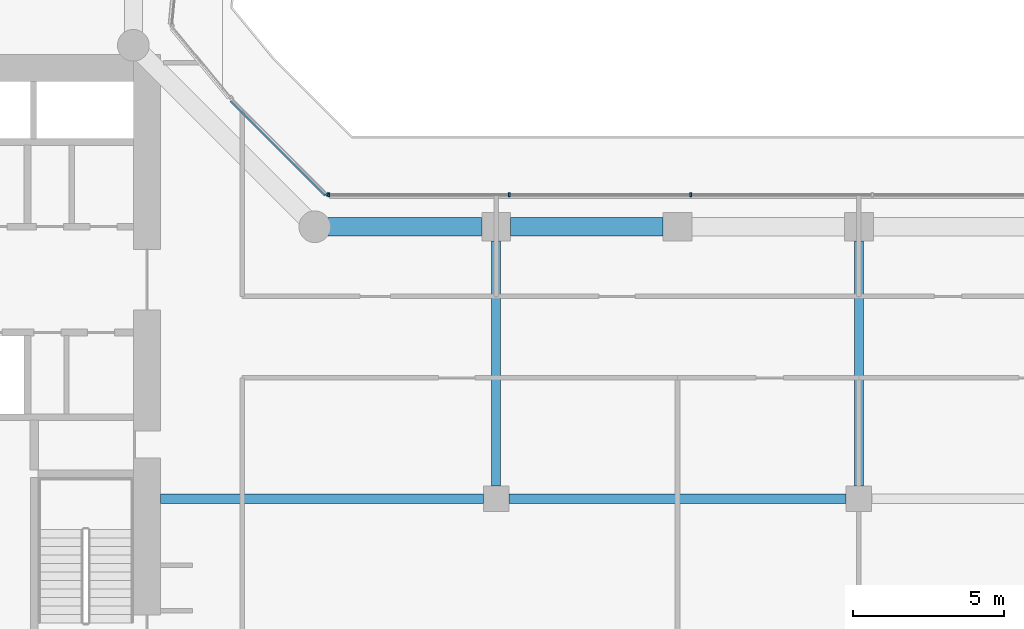
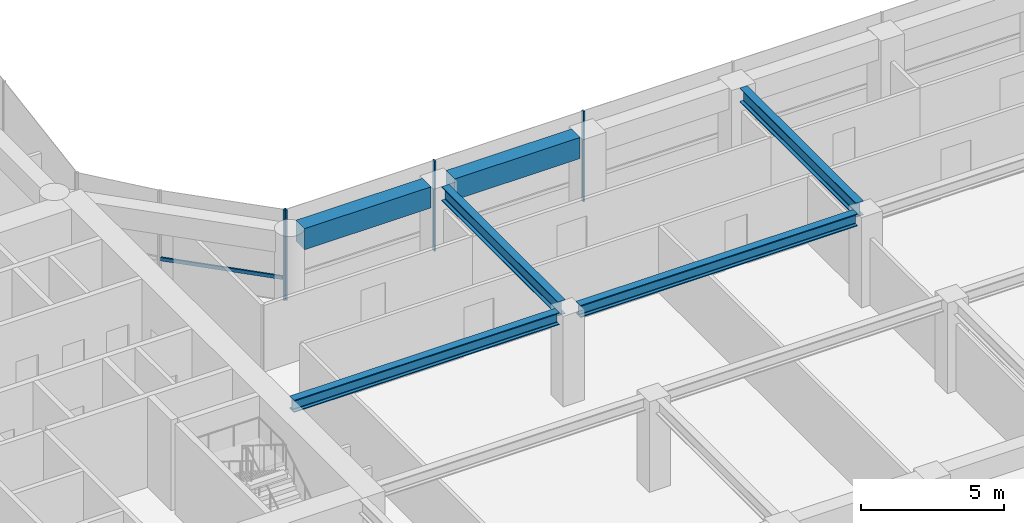
# One storey, part 9 of 31: 6 beams, 5 members, 2 elements without a shape of their own.
"""IFC4 building model written with IfcOpenShell, lengths in metres."""

import ifcopenshell
import ifcopenshell.guid

model = None  # the IFC model being written
_history = None  # IfcOwnerHistory: only IFC2X3 demands one
_inside = {}  # id of a spatial element -> (the spatial element, [elements in it])
_under = {}  # id of a project, library or spatial element -> (it, [spatial elements below it])
_declared = {}  # id of a project -> (the project, [libraries it declares])
_typed = {}  # id of a type object -> (the type object, [elements of that type])
_made_of = {}  # id of a material, layer set ... -> (it, [elements and type objects made of it])


def new_model(schema):
    """Start an empty IFC model of exactly this schema.

    Asked for "IFC4X3", IfcOpenShell would pick the latest addendum, in which some entities
    have other attributes; the version numbers below select the first issue.
    IFC2X3 requires an IfcOwnerHistory on every rooted entity: one is made here for all.
    """
    global model, _history
    if schema == "IFC4X3":
        model = ifcopenshell.file(schema_version=(4, 3, 0, 0))
    else:
        model = ifcopenshell.file(schema=schema)
    _inside.clear()
    _under.clear()
    _declared.clear()
    _typed.clear()
    _made_of.clear()
    _history = None
    if model.schema == "IFC2X3":
        org = make("IfcOrganization", Name="unknown")
        user = make(
            "IfcPersonAndOrganization",
            ThePerson=make("IfcPerson", FamilyName="unknown"),
            TheOrganization=org,
        )
        app = make(
            "IfcApplication",
            ApplicationDeveloper=org,
            Version="unknown",
            ApplicationFullName="unknown",
            ApplicationIdentifier="unknown",
        )
        _history = make(
            "IfcOwnerHistory",
            OwningUser=user,
            OwningApplication=app,
            ChangeAction="ADDED",
            CreationDate=0,
        )
    return model


def make(cls, **values):
    """One entity of the class cls with the attributes given. An attribute that is None is left unset."""
    return model.create_entity(
        cls, **{name: value for name, value in values.items() if value is not None}
    )


def rooted(cls, **values):
    """An entity with a GlobalId (a new one), such as an element, a storey or a relation."""
    return make(cls, GlobalId=ifcopenshell.guid.new(), OwnerHistory=_history, **values)


def si_unit(unit_type, name, prefix=None):
    """IfcSIUnit, for example si_unit("LENGTHUNIT", "METRE", prefix="MILLI")."""
    return make("IfcSIUnit", UnitType=unit_type, Prefix=prefix, Name=name)


def assignment(units):
    """IfcUnitAssignment: the units of a project."""
    return None if units is None else make("IfcUnitAssignment", Units=units)


def point(xyz):
    """IfcCartesianPoint."""
    return None if xyz is None else make("IfcCartesianPoint", Coordinates=xyz)


def direction(xyz):
    """IfcDirection."""
    return None if xyz is None else make("IfcDirection", DirectionRatios=xyz)


def frame(location, z_axis=None, x_axis=None):
    """IfcAxis2Placement3D, a coordinate frame: its origin and axes. An axis left out is left unset."""
    return make(
        "IfcAxis2Placement3D",
        Location=point(location),
        Axis=direction(z_axis),
        RefDirection=direction(x_axis),
    )


def frame_2d(location, x_axis=None):
    """IfcAxis2Placement2D, a coordinate frame in the plane: its origin and x axis."""
    return make(
        "IfcAxis2Placement2D", Location=point(location), RefDirection=direction(x_axis)
    )


def origin():
    """The frame at (0, 0, 0) with its axes left unset."""
    return frame((0.0, 0.0, 0.0))


def origin_2d():
    """The frame at (0, 0) in the plane with its x axis left unset."""
    return frame_2d((0.0, 0.0))


def place(relative_to, where):
    """IfcLocalPlacement: puts the frame where relative to a parent placement (None: the world)."""
    return make(
        "IfcLocalPlacement", PlacementRelTo=relative_to, RelativePlacement=where
    )


def context(
    kind, dimensions, precision=None, world=None, true_north=None, identifier=None
):
    """IfcGeometricRepresentationContext, for example the 3D "Model" context."""
    return make(
        "IfcGeometricRepresentationContext",
        ContextIdentifier=identifier,
        ContextType=kind,
        CoordinateSpaceDimension=dimensions,
        Precision=precision,
        WorldCoordinateSystem=world,
        TrueNorth=true_north,
    )


def subcontext(parent, identifier, kind, view, scale=None):
    """IfcGeometricRepresentationSubContext, for example "Body" below "Model"."""
    return make(
        "IfcGeometricRepresentationSubContext",
        ContextIdentifier=identifier,
        ContextType=kind,
        ParentContext=parent,
        TargetScale=scale,
        TargetView=view,
    )


def project(units=None, contexts=None):
    """IfcProject with its units and contexts."""
    return rooted(
        "IfcProject",
        Name="project",
        RepresentationContexts=contexts,
        UnitsInContext=assignment(units),
    )


def spatial(cls, under=None, at=None, **own):
    """A site, building, storey or space (cls), placed at a placement, below another one or the project."""
    s = rooted(cls, ObjectPlacement=at, **own)
    if under is not None:
        _under.setdefault(under.id(), (under, []))[1].append(s)
    return s


def profile(cls, at=None, kind="AREA", **sizes):
    """A parametric profile (cls). Its sizes go by their IFC names, for example OverallWidth=200.0."""
    return make(cls, ProfileType=kind, Position=at, **sizes)


def rectangle(**sizes):
    """IfcRectangleProfileDef."""
    return profile("IfcRectangleProfileDef", **sizes)


def i_section(**sizes):
    """IfcIShapeProfileDef."""
    return profile("IfcIShapeProfileDef", **sizes)


def extrude(swept, where, along, depth):
    """IfcExtrudedAreaSolid: the profile swept, set in the frame where, extruded along a direction by depth."""
    return make(
        "IfcExtrudedAreaSolid",
        SweptArea=swept,
        Position=where,
        ExtrudedDirection=direction(along),
        Depth=depth,
    )


def shape(context_of_items, identifier, shape_type, items):
    """IfcShapeRepresentation: the items that make up one representation, for example the "Body"."""
    return make(
        "IfcShapeRepresentation",
        ContextOfItems=context_of_items,
        RepresentationIdentifier=identifier,
        RepresentationType=shape_type,
        Items=items,
    )


def material(Name=None, Category=None):
    """IfcMaterial."""
    return make("IfcMaterial", Name=Name, Category=Category)


def layer(
    of_material, thickness, ventilated=None, Name=None, Category=None, Priority=None
):
    """IfcMaterialLayer: one layer of a wall or slab, of a material (None: an air gap)."""
    return make(
        "IfcMaterialLayer",
        Material=of_material,
        LayerThickness=thickness,
        IsVentilated=ventilated,
        Name=Name,
        Category=Category,
        Priority=Priority,
    )


def layer_set(layers, Name=None):
    """IfcMaterialLayerSet."""
    return make("IfcMaterialLayerSet", MaterialLayers=layers, LayerSetName=Name)


def material_profile(
    of_material, cross_section, Name=None, Category=None, Priority=None
):
    """IfcMaterialProfile: a cross section and its material."""
    return make(
        "IfcMaterialProfile",
        Name=Name,
        Material=of_material,
        Profile=cross_section,
        Priority=Priority,
        Category=Category,
    )


def profile_set(profiles, Name=None, composite=None):
    """IfcMaterialProfileSet."""
    return make(
        "IfcMaterialProfileSet",
        Name=Name,
        MaterialProfiles=profiles,
        CompositeProfile=composite,
    )


def made_of(thing, what):
    """Note that an element or type object is made of a material, layer set ...; save() writes the relation."""
    if what is not None:
        _made_of.setdefault(what.id(), (what, []))[1].append(thing)
    return thing


def type_object(cls, material=None, **own):
    """A type object (cls), such as IfcWallType, which elements share."""
    return made_of(rooted(cls, **own), material)


def element(
    cls,
    number,
    at=None,
    inside=None,
    cuts=None,
    type_object=None,
    material=None,
    context=None,
    identifier="Body",
    shape_type=None,
    held_by="IfcProductDefinitionShape",
    body=None,
    shapes=None,
    **own,
):
    """One element of the class cls, such as IfcWall. Its Tag is "e" and its number.

    at: its placement. inside: the storey or other place that contains it. cuts: it is an
    opening in that element (IfcRelVoidsElement). A single representation is given by context,
    identifier, shape_type and body (its items); several are given by shapes. held_by: the class
    of the entity that holds the representations. save() writes the other relations.
    """
    e = rooted(cls, Tag="e%d" % number, ObjectPlacement=at, **own)
    if body is not None:
        shapes = [shape(context, identifier, shape_type, body)]
    if shapes is not None:
        e.Representation = make(held_by, Representations=shapes)
    if inside is not None:
        _inside.setdefault(inside.id(), (inside, []))[1].append(e)
    if cuts is not None:
        rooted(
            "IfcRelVoidsElement", RelatingBuildingElement=cuts, RelatedOpeningElement=e
        )
    if type_object is not None:
        _typed.setdefault(type_object.id(), (type_object, []))[1].append(e)
    return made_of(e, material)


def aggregate(whole, parts):
    """IfcRelAggregates: a whole, such as a stair, and the parts it consists of."""
    return rooted("IfcRelAggregates", RelatingObject=whole, RelatedObjects=parts)


def save(model, path):
    """Write the relations noted so far, then the file.

    IfcRelAggregates (storeys below a building ...), IfcRelContainedInSpatialStructure (elements
    in a storey), IfcRelDefinesByType, IfcRelAssociatesMaterial and IfcRelDeclares: one each for
    every whole, place, type object, material and project.
    """
    for whole, parts in _under.values():
        aggregate(whole, parts)
    for where, things in _inside.values():
        rooted(
            "IfcRelContainedInSpatialStructure",
            RelatedElements=things,
            RelatingStructure=where,
        )
    for kind, things in _typed.values():
        rooted("IfcRelDefinesByType", RelatedObjects=things, RelatingType=kind)
    for what, things in _made_of.values():
        rooted("IfcRelAssociatesMaterial", RelatedObjects=things, RelatingMaterial=what)
    for by, libraries in _declared.values():
        rooted("IfcRelDeclares", RelatingContext=by, RelatedDefinitions=libraries)
    model.write(path)


model = new_model("IFC4")

# Units and contexts
model_context = context("Model", 3, precision=1e-05, world=origin(), true_north=direction((0.0, 1.0)))
body_context = subcontext(model_context, "Body", "Model", "MODEL_VIEW")
ifc_project = project(units=[si_unit("LENGTHUNIT", "METRE"), si_unit("AREAUNIT", "SQUARE_METRE"), si_unit("VOLUMEUNIT", "CUBIC_METRE"), si_unit("PLANEANGLEUNIT", "RADIAN"), si_unit("MASSUNIT", "GRAM", prefix="KILO")], contexts=[model_context])

# Site, building, storey
site_placement = place(None, origin())
site = spatial("IfcSite", under=ifc_project, at=site_placement, CompositionType="ELEMENT")
building_placement = place(site_placement, origin())
building = spatial("IfcBuilding", under=site, at=building_placement, Name="Welwitschia Terrace Campus", CompositionType="ELEMENT")
storey_placement = place(building_placement, frame((0.0, 0.0, 29.0)))
storey = spatial("IfcBuildingStorey", under=building, at=storey_placement, Name="L06", CompositionType="ELEMENT", Elevation=29.0)

# Beams
ifc_material_1 = material(Name="Steel S355", Category="steel")
ifc_material_profile_1 = material_profile(ifc_material_1, i_section(OverallWidth=0.305908203125, OverallDepth=0.52392578125, WebThickness=0.02099609375, FlangeThickness=0.0400390625, FilletRadius=0.027099609375, at=origin_2d()))
ifc_profile_set_1 = profile_set([ifc_material_profile_1], Name="Steel S355")
beam_type_1 = type_object("IfcBeamType", Name="Interior girder HE 500 M", PredefinedType="BEAM", material=ifc_profile_set_1)
beam_1_placement = place(storey_placement, frame((24.90087890625, 11.0, 3.587890625), z_axis=(1.0, 0.0, 0.0), x_axis=(0.0, 1.0, 0.0)))
element("IfcBeam", 1, at=beam_1_placement, inside=storey, type_object=beam_type_1, Name="Girder GB2", PredefinedType="BEAM", context=body_context, shape_type="SweptSolid", body=[
    extrude(i_section(OverallWidth=0.305908203125, OverallDepth=0.52392578125, WebThickness=0.02099609375, FlangeThickness=0.0400390625, FilletRadius=0.027099609375, at=origin_2d()), origin(), (0.0, 0.0, 1.0), 10.673583984375),
])
beam_2_placement = place(storey_placement, frame((36.425537109375, 11.0, 3.587890625), z_axis=(1.0, 0.0, 0.0), x_axis=(0.0, 1.0, 0.0)))
element("IfcBeam", 2, at=beam_2_placement, inside=storey, type_object=beam_type_1, Name="Girder GB2", PredefinedType="BEAM", context=body_context, shape_type="SweptSolid", body=[
    extrude(i_section(OverallWidth=0.305908203125, OverallDepth=0.52392578125, WebThickness=0.02099609375, FlangeThickness=0.0400390625, FilletRadius=0.027099609375, at=origin_2d()), origin(), (0.0, 0.0, 1.0), 11.14892578125),
])

# Curtain wall, members
ifc_material_2 = material(Name="Bronze anodised aluminium", Category="aluminium")
ifc_layer = layer(ifc_material_2, 0.1201171875)
ifc_layer_set = layer_set([ifc_layer], Name="Bronze anodised aluminium")
curtain_wall_type = type_object("IfcCurtainWallType", Name="Curtain wall CW2 tower 6000", PredefinedType="NOTDEFINED", material=ifc_layer_set)
curtain_wall_1_placement = place(storey_placement, origin())
curtain_wall_1 = element("IfcCurtainWall", 3, at=curtain_wall_1_placement, inside=storey, type_object=curtain_wall_type, Name="CW L06.9.0", PredefinedType="NOTDEFINED")
ifc_material_3 = material(Name="Bronze anodised aluminium", Category="aluminium")
ifc_material_profile_2 = material_profile(ifc_material_3, rectangle(XDim=0.1201171875, YDim=0.06005859375, at=origin_2d()))
ifc_profile_set_2 = profile_set([ifc_material_profile_2], Name="Bronze anodised aluminium")
member_type_1 = type_object("IfcMemberType", Name="Mullion 60x120", PredefinedType="MULLION", material=ifc_profile_set_2)
member_1_placement = place(storey_placement, frame((42.438232421875, 21.05810546875, 0.0), z_axis=(0.0, 0.0, 1.0), x_axis=(0.0, -1.0, 0.0)))
member_1 = element("IfcMember", 4, at=member_1_placement, type_object=member_type_1, Name="Mullion L06.9.0.3", PredefinedType="MULLION", context=body_context, shape_type="SweptSolid", body=[
    extrude(rectangle(XDim=0.1201171875, YDim=0.06005859375, at=origin_2d()), origin(), (0.0, 0.0, 1.0), 3.85009765625),
])
member_2_placement = place(storey_placement, frame((36.438232421875, 21.05810546875, 0.0), z_axis=(0.0, 0.0, 1.0), x_axis=(0.0, -1.0, 0.0)))
member_2 = element("IfcMember", 5, at=member_2_placement, type_object=member_type_1, Name="Mullion L06.9.0.4", PredefinedType="MULLION", context=body_context, shape_type="SweptSolid", body=[
    extrude(rectangle(XDim=0.1201171875, YDim=0.06005859375, at=origin_2d()), origin(), (0.0, 0.0, 1.0), 3.85009765625),
])
member_3_placement = place(storey_placement, frame((30.46826171875, 21.05810546875, 0.0), z_axis=(0.0, 0.0, 1.0), x_axis=(0.0, -1.0, 0.0)))
member_3 = element("IfcMember", 6, at=member_3_placement, type_object=member_type_1, Name="Mullion L06.9.0.5", PredefinedType="MULLION", context=body_context, shape_type="SweptSolid", body=[
    extrude(rectangle(XDim=0.1201171875, YDim=0.06005859375, at=origin_2d()), origin(), (0.0, 0.0, 1.0), 3.85009765625),
])
aggregate(curtain_wall_1, [member_1, member_2, member_3])

# Curtain wall, member
curtain_wall_2_placement = place(storey_placement, origin())
curtain_wall_2 = element("IfcCurtainWall", 7, at=curtain_wall_2_placement, inside=storey, type_object=curtain_wall_type, Name="CW L06.10.0", PredefinedType="NOTDEFINED")
member_4_placement = place(storey_placement, frame((30.4169921875, 21.0791015625, 0.0), z_axis=(0.0, 0.0, 1.0), x_axis=(-0.707106781187, -0.707106781187, 0.0)))
member_4 = element("IfcMember", 8, at=member_4_placement, type_object=member_type_1, Name="Mullion L06.10.0.0", PredefinedType="MULLION", context=body_context, shape_type="SweptSolid", body=[
    extrude(rectangle(XDim=0.1201171875, YDim=0.06005859375, at=origin_2d()), origin(), (0.0, 0.0, 1.0), 3.85009765625),
])

# Beams
ifc_material_4 = material(Name="Steel S355", Category="steel")
ifc_material_profile_3 = material_profile(ifc_material_4, i_section(OverallWidth=0.300048828125, OverallDepth=0.60009765625, WebThickness=0.015380859375, FlangeThickness=0.030029296875, FilletRadius=0.027099609375, at=origin_2d()))
ifc_profile_set_3 = profile_set([ifc_material_profile_3], Name="Steel S355")
beam_type_2 = type_object("IfcBeamType", Name="Primary beam HE 600 B", PredefinedType="BEAM", material=ifc_profile_set_3)
for number, where, z_axis, x_axis, name in (
    (9, (48.0, 19.5244140625, 3.550048828125), (0.0, -1.0, 0.0), (1.0, 0.0, 0.0), "Primary beam PB2"),
    (10, (36.0, 19.5244140625, 3.550048828125), (0.0, -1.0, 0.0), (1.0, 0.0, 0.0), "Primary beam PB2"),
):
    element("IfcBeam", number, at=place(storey_placement, frame(where, z_axis=z_axis, x_axis=x_axis)), inside=storey, type_object=beam_type_2, Name=name, PredefinedType="BEAM", context=body_context, shape_type="SweptSolid", body=[
        extrude(i_section(OverallWidth=0.300048828125, OverallDepth=0.60009765625, WebThickness=0.015380859375, FlangeThickness=0.030029296875, FilletRadius=0.027099609375, at=origin_2d()), origin(), (0.0, 0.0, 1.0), 8.098876953125),
    ])
ifc_material_5 = material(Name="Concrete C60/75", Category="concrete")
ifc_material_profile_4 = material_profile(ifc_material_5, rectangle(XDim=0.60009765625, YDim=0.89990234375, at=origin_2d()))
ifc_profile_set_4 = profile_set([ifc_material_profile_4], Name="Concrete C60/75")
beam_type_3 = type_object("IfcBeamType", Name="Ring spandrel 600x900", PredefinedType="SPANDREL", material=ifc_profile_set_4)
beam_3_placement = place(storey_placement, frame((41.5244140625, 20.0, 3.39990234375), z_axis=(-1.0, 0.0, 0.0), x_axis=(0.0, -1.0, 0.0)))
element("IfcBeam", 11, at=beam_3_placement, inside=storey, type_object=beam_type_3, Name="Spandrel SP2", PredefinedType="SPANDREL", context=body_context, shape_type="SweptSolid", body=[
    extrude(rectangle(XDim=0.60009765625, YDim=0.89990234375, at=origin_2d()), origin(), (0.0, 0.0, 1.0), 5.048828125),
])
beam_4_placement = place(storey_placement, frame((35.5244140625, 20.0, 3.39990234375), z_axis=(-1.0, 0.0, 0.0), x_axis=(0.0, -1.0, 0.0)))
element("IfcBeam", 12, at=beam_4_placement, inside=storey, type_object=beam_type_3, Name="Spandrel SP2", PredefinedType="SPANDREL", context=body_context, shape_type="SweptSolid", body=[
    extrude(rectangle(XDim=0.60009765625, YDim=0.89990234375, at=origin_2d()), origin(), (0.0, 0.0, 1.0), 5.093017578125),
])

# Member
ifc_material_6 = material(Name="Bronze anodised aluminium", Category="aluminium")
ifc_material_profile_5 = material_profile(ifc_material_6, rectangle(XDim=0.06005859375, YDim=0.14990234375, at=origin_2d()))
ifc_profile_set_5 = profile_set([ifc_material_profile_5], Name="Bronze anodised aluminium")
member_type_2 = type_object("IfcMemberType", Name="Transom 60x150", PredefinedType="USERDEFINED", material=ifc_profile_set_5)
member_5_placement = place(storey_placement, frame((30.332275390625, 21.036865234375, 1.0), z_axis=(-0.707134491847, 0.70707906944, 0.0), x_axis=(-0.70707906944, -0.707134491847, 0.0)))
member_5 = element("IfcMember", 13, at=member_5_placement, type_object=member_type_2, Name="Transom L06.10.0", ObjectType="TRANSOM", PredefinedType="USERDEFINED", context=body_context, shape_type="SweptSolid", body=[
    extrude(rectangle(XDim=0.06005859375, YDim=0.14990234375, at=origin_2d()), origin(), (0.0, 0.0, 1.0), 4.405029296875),
])

aggregate(curtain_wall_2, [member_4, member_5])

save(model, "model.ifc")
